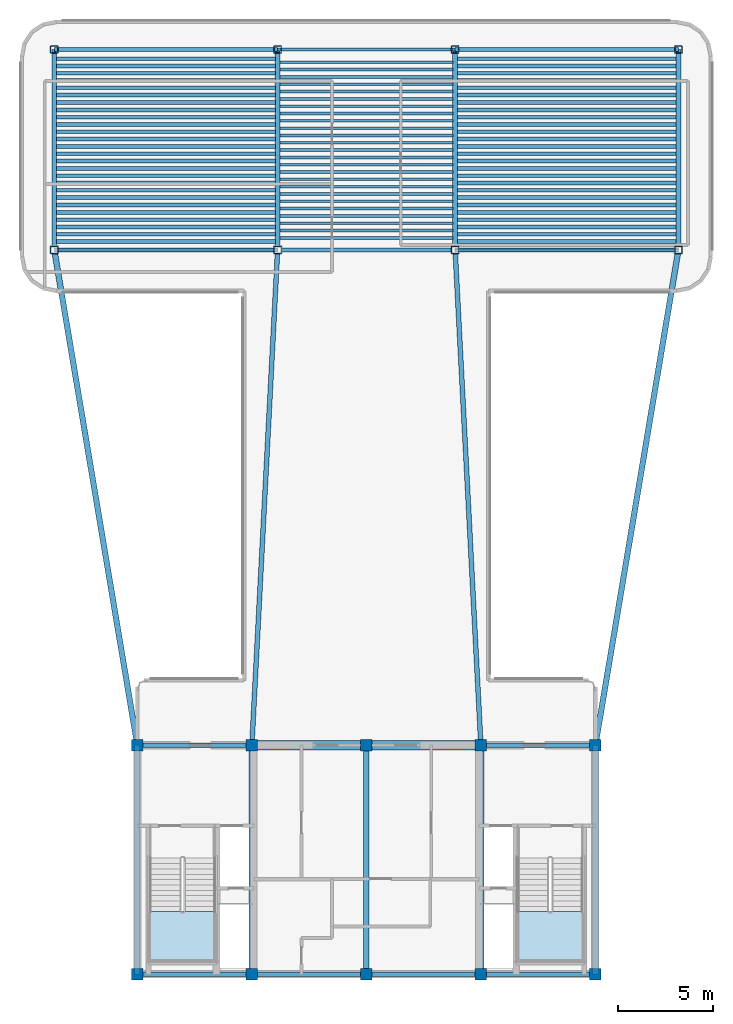
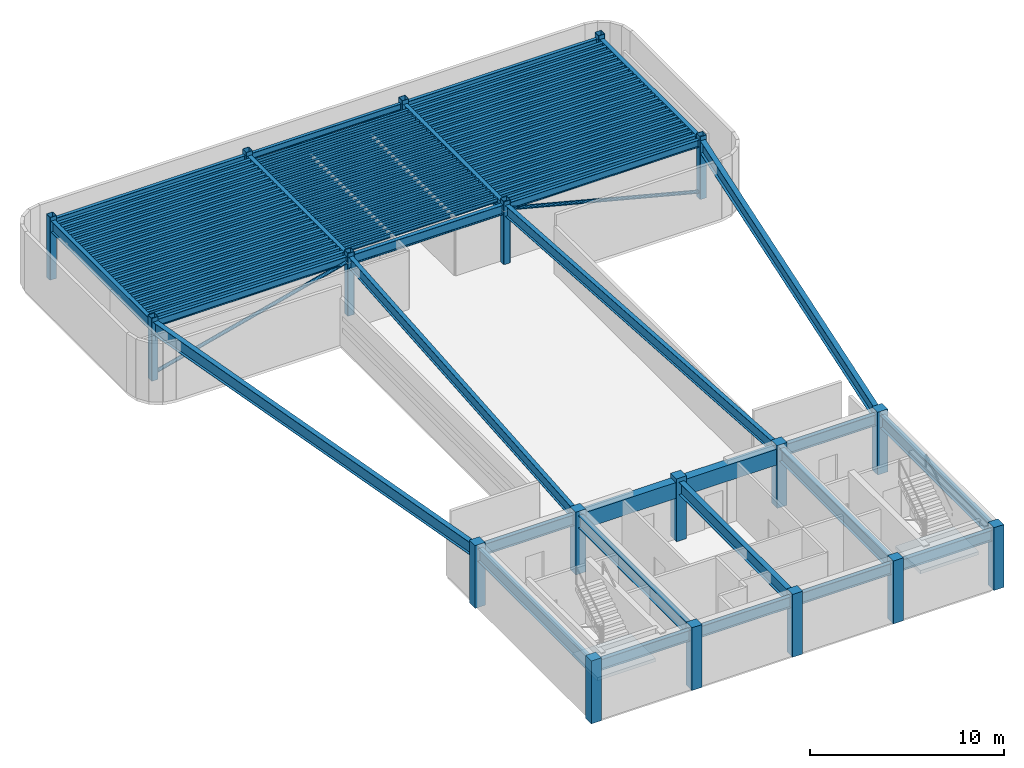
# One storey, part 1 of 6: 103 beams, 18 columns, 2 members, 2 slabs, 2 elements without a shape of their own.
"""IFC4 building model written with IfcOpenShell, lengths in metres."""

from ifc_helpers import new_model, si_unit, direction, frame, origin, origin_2d, place, context, subcontext, project, spatial, polyline, rectangle, hollow_rectangle, hollow_circle, i_section, outline, extrude, source, transform, mapped, material, layer, layer_set, material_profile, profile_set, type_object, element, aggregate, save


model = new_model("IFC4")

# Units and contexts
model_context = context("Model", 3, precision=1e-05, world=origin(), true_north=direction((0.0, 1.0)))
body_context = subcontext(model_context, "Body", "Model", "MODEL_VIEW")
ifc_project = project(units=[si_unit("LENGTHUNIT", "METRE"), si_unit("AREAUNIT", "SQUARE_METRE"), si_unit("VOLUMEUNIT", "CUBIC_METRE"), si_unit("PLANEANGLEUNIT", "RADIAN"), si_unit("MASSUNIT", "GRAM", prefix="KILO")], contexts=[model_context])

# Site, building, storey
site_placement = place(None, origin())
site = spatial("IfcSite", under=ifc_project, at=site_placement, CompositionType="ELEMENT")
building_placement = place(site_placement, origin())
building = spatial("IfcBuilding", under=site, at=building_placement, Name="Brelvock Crest Care Tower", CompositionType="ELEMENT")
storey_placement = place(building_placement, frame((0.0, 0.0, 307.800048828125)))
storey = spatial("IfcBuildingStorey", under=building, at=storey_placement, Name="L78", CompositionType="ELEMENT", Elevation=307.800048828125)

# Columns
ifc_material_1 = material(Name="Concrete S65 (65 MPa)", Category="concrete")
ifc_material_profile_1 = material_profile(ifc_material_1, rectangle(XDim=0.60009765625, YDim=0.60009765625, at=origin_2d()), Name="RC600x600")
ifc_profile_set_1 = profile_set([ifc_material_profile_1], Name="Concrete S65 (65 MPa)")
column_type_1 = type_object("IfcColumnType", Name="COL-RC4", PredefinedType="COLUMN", material=ifc_profile_set_1)
shared_shape_1 = source(origin(), body_context, "Body", "SweptSolid", [
    extrude(rectangle(XDim=0.60009765625, YDim=0.60009765625, at=origin_2d()), origin(), (0.0, 0.0, 1.0), 3.9599609375),
])
for number, where, z_axis, x_axis, name in (
    (1, (24.0, 6.0, 0.0), (0.0, 0.0, 1.0), (1.0, 0.0, 0.0), "L78 Core Column CC-01"),
    (2, (30.0, 6.0, 0.0), (0.0, 0.0, 1.0), (1.0, 0.0, 0.0), "L78 Core Column CC-02"),
    (3, (36.0, 6.0, 0.0), (0.0, 0.0, 1.0), (1.0, 0.0, 0.0), "L78 Core Column CC-03"),
    (4, (42.0, 6.0, 0.0), (0.0, 0.0, 1.0), (1.0, 0.0, 0.0), "L78 Core Column CC-04"),
    (5, (48.0, 6.0, 0.0), (0.0, 0.0, 1.0), (1.0, 0.0, 0.0), "L78 Core Column CC-05"),
    (6, (24.0, 18.0, 0.0), (0.0, 0.0, 1.0), (1.0, 0.0, 0.0), "L78 Core Column CC-06"),
    (7, (30.0, 18.0, 0.0), (0.0, 0.0, 1.0), (1.0, 0.0, 0.0), "L78 Core Column CC-07"),
    (8, (36.0, 18.0, 0.0), (0.0, 0.0, 1.0), (1.0, 0.0, 0.0), "L78 Core Column CC-08"),
    (9, (42.0, 18.0, 0.0), (0.0, 0.0, 1.0), (1.0, 0.0, 0.0), "L78 Core Column CC-09"),
    (10, (48.0, 18.0, 0.0), (0.0, 0.0, 1.0), (1.0, 0.0, 0.0), "L78 Core Column CC-10"),
):
    element("IfcColumn", number, at=place(storey_placement, frame(where, z_axis=z_axis, x_axis=x_axis)), inside=storey, type_object=column_type_1, Name=name, PredefinedType="COLUMN", context=body_context, shape_type="MappedRepresentation", body=[
        mapped(shared_shape_1, transform((0.0, 0.0, 0.0), x_axis=(1.0, 0.0, 0.0), y_axis=(0.0, 1.0, 0.0), z_axis=(0.0, 0.0, 1.0), scale=1.0)),
    ])
ifc_material_2 = material(Name="Steel Grade 350", Category="steel")
ifc_material_profile_2 = material_profile(ifc_material_2, hollow_rectangle(XDim=0.39990234375, YDim=0.39990234375, WallThickness=0.02001953125, OuterFilletRadius=0.0400390625, at=origin_2d()), Name="SHS400x400x20.0")
ifc_profile_set_2 = profile_set([ifc_material_profile_2], Name="Steel Grade 350")
column_type_2 = type_object("IfcColumnType", Name="COL-CR1", PredefinedType="COLUMN", material=ifc_profile_set_2)
shared_shape_2 = source(origin(), body_context, "Body", "SweptSolid", [
    extrude(hollow_rectangle(XDim=0.39990234375, YDim=0.39990234375, WallThickness=0.02001953125, OuterFilletRadius=0.0400390625, at=origin_2d()), origin(), (0.0, 0.0, 1.0), 3.9599609375),
])
for number, where, z_axis, x_axis, name in (
    (11, (19.64990234375, 43.949951171875, 0.0), (0.0, 0.0, 1.0), (1.0, 0.0, 0.0), "L78 Tower Column M1"),
    (12, (19.64990234375, 54.449951171875, 0.0), (0.0, 0.0, 1.0), (1.0, 0.0, 0.0), "L78 Tower Column M2"),
    (13, (52.35009765625, 43.949951171875, 0.0), (0.0, 0.0, 1.0), (1.0, 0.0, 0.0), "L78 Tower Column M3"),
    (14, (52.35009765625, 54.449951171875, 0.0), (0.0, 0.0, 1.0), (1.0, 0.0, 0.0), "L78 Tower Column M4"),
    (15, (31.35009765625, 43.949951171875, 0.0), (0.0, 0.0, 1.0), (1.0, 0.0, 0.0), "L78 Tower Column M5"),
    (16, (40.64990234375, 43.949951171875, 0.0), (0.0, 0.0, 1.0), (1.0, 0.0, 0.0), "L78 Tower Column M6"),
    (17, (31.35009765625, 54.449951171875, 0.0), (0.0, 0.0, 1.0), (1.0, 0.0, 0.0), "L78 Tower Column M7"),
    (18, (40.64990234375, 54.449951171875, 0.0), (0.0, 0.0, 1.0), (1.0, 0.0, 0.0), "L78 Tower Column M8"),
):
    element("IfcColumn", number, at=place(storey_placement, frame(where, z_axis=z_axis, x_axis=x_axis)), inside=storey, type_object=column_type_2, Name=name, PredefinedType="COLUMN", context=body_context, shape_type="MappedRepresentation", body=[
        mapped(shared_shape_2, transform((0.0, 0.0, 0.0), x_axis=(1.0, 0.0, 0.0), y_axis=(0.0, 1.0, 0.0), z_axis=(0.0, 0.0, 1.0), scale=1.0)),
    ])

# Beams
ifc_material_profile_3 = material_profile(ifc_material_2, i_section(OverallWidth=0.25, OverallDepth=0.699951171875, WebThickness=0.011962890625, FlangeThickness=0.02001953125, at=origin_2d()), Name="700WB150")
ifc_profile_set_3 = profile_set([ifc_material_profile_3], Name="Steel Grade 350")
beam_type_1 = type_object("IfcBeamType", Name="BM-G4", PredefinedType="BEAM", material=ifc_profile_set_3)
shared_shape_3 = source(origin(), body_context, "Body", "SweptSolid", [
    extrude(i_section(OverallWidth=0.25, OverallDepth=0.699951171875, WebThickness=0.011962890625, FlangeThickness=0.02001953125, at=origin_2d()), origin(), (0.0, 0.0, 1.0), 6.0),
])
for number, where, z_axis, x_axis, name in (
    (19, (24.0, 6.0, 3.35986328125), (1.0, 0.0, 0.0), (0.0, 1.0, 0.0), "BM-CORES-L78-1"),
    (20, (24.0, 18.0, 3.35986328125), (1.0, 0.0, 0.0), (0.0, 1.0, 0.0), "BM-COREN-L78-1"),
    (21, (30.0, 6.0, 3.35986328125), (1.0, 0.0, 0.0), (0.0, 1.0, 0.0), "BM-CORES-L78-2"),
    (22, (36.0, 6.0, 3.35986328125), (1.0, 0.0, 0.0), (0.0, 1.0, 0.0), "BM-CORES-L78-3"),
    (23, (42.0, 6.0, 3.35986328125), (1.0, 0.0, 0.0), (0.0, 1.0, 0.0), "BM-CORES-L78-4"),
    (24, (42.0, 18.0, 3.35986328125), (1.0, 0.0, 0.0), (0.0, 1.0, 0.0), "BM-COREN-L78-4"),
):
    element("IfcBeam", number, at=place(storey_placement, frame(where, z_axis=z_axis, x_axis=x_axis)), inside=storey, type_object=beam_type_1, Name=name, PredefinedType="BEAM", context=body_context, shape_type="MappedRepresentation", body=[
        mapped(shared_shape_3, transform((0.0, 0.0, 0.0), x_axis=(1.0, 0.0, 0.0), y_axis=(0.0, 1.0, 0.0), z_axis=(0.0, 0.0, 1.0), scale=1.0)),
    ])
ifc_material_profile_4 = material_profile(ifc_material_2, i_section(OverallWidth=0.300048828125, OverallDepth=0.800048828125, WebThickness=0.013916015625, FlangeThickness=0.02197265625, at=origin_2d()), Name="800WB192")
ifc_profile_set_4 = profile_set([ifc_material_profile_4], Name="Steel Grade 350")
beam_type_2 = type_object("IfcBeamType", Name="BM-G5", PredefinedType="BEAM", material=ifc_profile_set_4)
shared_shape_4 = source(origin(), body_context, "Body", "SweptSolid", [
    extrude(i_section(OverallWidth=0.300048828125, OverallDepth=0.800048828125, WebThickness=0.013916015625, FlangeThickness=0.02197265625, at=origin_2d()), origin(), (0.0, 0.0, 1.0), 12.0),
])
for number, where, z_axis, x_axis, name in (
    (25, (24.0, 6.0, 3.31005859375), (0.0, 1.0, 0.0), (-1.0, 0.0, 0.0), "BM-COREX-L78-1"),
    (26, (30.0, 6.0, 3.31005859375), (0.0, 1.0, 0.0), (-1.0, 0.0, 0.0), "BM-COREX-L78-2"),
    (27, (36.0, 6.0, 3.31005859375), (0.0, 1.0, 0.0), (-1.0, 0.0, 0.0), "BM-COREX-L78-3"),
    (28, (42.0, 6.0, 3.31005859375), (0.0, 1.0, 0.0), (-1.0, 0.0, 0.0), "BM-COREX-L78-4"),
    (29, (48.0, 6.0, 3.31005859375), (0.0, 1.0, 0.0), (-1.0, 0.0, 0.0), "BM-COREX-L78-5"),
):
    element("IfcBeam", number, at=place(storey_placement, frame(where, z_axis=z_axis, x_axis=x_axis)), inside=storey, type_object=beam_type_2, Name=name, PredefinedType="BEAM", context=body_context, shape_type="MappedRepresentation", body=[
        mapped(shared_shape_4, transform((0.0, 0.0, 0.0), x_axis=(1.0, 0.0, 0.0), y_axis=(0.0, 1.0, 0.0), z_axis=(0.0, 0.0, 1.0), scale=1.0)),
    ])
shared_shape_5 = source(origin(), body_context, "Body", "SweptSolid", [
    extrude(i_section(OverallWidth=0.25, OverallDepth=0.699951171875, WebThickness=0.011962890625, FlangeThickness=0.02001953125, at=origin_2d()), origin(), (0.0, 0.0, 1.0), 10.5),
])
for number, where, z_axis, x_axis, name in (
    (30, (19.64990234375, 43.949951171875, 3.35986328125), (0.0, 1.0, 0.0), (-1.0, 0.0, 0.0), "BM-TWR-L78-01"),
    (31, (52.35009765625, 43.949951171875, 3.35986328125), (0.0, 1.0, 0.0), (-1.0, 0.0, 0.0), "BM-TWR-L78-02"),
    (32, (31.35009765625, 43.949951171875, 3.35986328125), (0.0, 1.0, 0.0), (-1.0, 0.0, 0.0), "BM-TWR-L78-09"),
    (33, (40.64990234375, 43.949951171875, 3.35986328125), (0.0, 1.0, 0.0), (-1.0, 0.0, 0.0), "BM-TWR-L78-10"),
):
    element("IfcBeam", number, at=place(storey_placement, frame(where, z_axis=z_axis, x_axis=x_axis)), inside=storey, type_object=beam_type_1, Name=name, PredefinedType="BEAM", context=body_context, shape_type="MappedRepresentation", body=[
        mapped(shared_shape_5, transform((0.0, 0.0, 0.0), x_axis=(1.0, 0.0, 0.0), y_axis=(0.0, 1.0, 0.0), z_axis=(0.0, 0.0, 1.0), scale=1.0)),
    ])
ifc_material_profile_5 = material_profile(ifc_material_2, i_section(OverallWidth=0.22900390625, OverallDepth=0.612060546875, WebThickness=0.011962890625, FlangeThickness=0.01953125, FilletRadius=0.013916015625, at=origin_2d()), Name="610UB125")
ifc_profile_set_5 = profile_set([ifc_material_profile_5], Name="Steel Grade 350")
beam_type_3 = type_object("IfcBeamType", Name="BM-G1", PredefinedType="BEAM", material=ifc_profile_set_5)
shared_shape_6 = source(origin(), body_context, "Body", "SweptSolid", [
    extrude(i_section(OverallWidth=0.22900390625, OverallDepth=0.612060546875, WebThickness=0.011962890625, FlangeThickness=0.01953125, FilletRadius=0.013916015625, at=origin_2d()), origin(), (0.0, 0.0, 1.0), 9.2998046875),
])
beam_1_placement = place(storey_placement, frame((31.35009765625, 43.949951171875, 3.404052734375), z_axis=(1.0, 0.0, 0.0), x_axis=(0.0, 1.0, 0.0)))
element("IfcBeam", 34, at=beam_1_placement, inside=storey, type_object=beam_type_3, Name="BM-TWR-L78-05", PredefinedType="BEAM", context=body_context, shape_type="MappedRepresentation", body=[
    mapped(shared_shape_6, transform((0.0, 0.0, 0.0), x_axis=(1.0, 0.0, 0.0), y_axis=(0.0, 1.0, 0.0), z_axis=(0.0, 0.0, 1.0), scale=1.0)),
])
ifc_material_profile_6 = material_profile(ifc_material_2, i_section(OverallWidth=0.177978515625, OverallDepth=0.406005859375, WebThickness=0.0078125, FlangeThickness=0.0126953125, FilletRadius=0.011474609375, at=origin_2d()), Name="410UB59.7")
ifc_profile_set_6 = profile_set([ifc_material_profile_6], Name="Steel Grade 350")
beam_type_4 = type_object("IfcBeamType", Name="BM-SP1", PredefinedType="SPANDREL", material=ifc_profile_set_6)
shared_shape_7 = source(origin(), body_context, "Body", "SweptSolid", [
    extrude(i_section(OverallWidth=0.177978515625, OverallDepth=0.406005859375, WebThickness=0.0078125, FlangeThickness=0.0126953125, FilletRadius=0.011474609375, at=origin_2d()), origin(), (0.0, 0.0, 1.0), 9.2998046875),
])
beam_2_placement = place(storey_placement, frame((31.35009765625, 54.449951171875, 3.5068359375), z_axis=(1.0, 0.0, 0.0), x_axis=(0.0, 1.0, 0.0)))
element("IfcBeam", 35, at=beam_2_placement, inside=storey, type_object=beam_type_4, Name="BM-TWR-L78-08", PredefinedType="SPANDREL", context=body_context, shape_type="MappedRepresentation", body=[
    mapped(shared_shape_7, transform((0.0, 0.0, 0.0), x_axis=(1.0, 0.0, 0.0), y_axis=(0.0, 1.0, 0.0), z_axis=(0.0, 0.0, 1.0), scale=1.0)),
])
ifc_material_profile_7 = material_profile(ifc_material_2, i_section(OverallWidth=0.14599609375, OverallDepth=0.256103515625, WebThickness=0.00634765625, FlangeThickness=0.010986328125, FilletRadius=0.0087890625, at=origin_2d()), Name="250UB37.3")
ifc_profile_set_7 = profile_set([ifc_material_profile_7], Name="Steel Grade 350")
beam_type_5 = type_object("IfcBeamType", Name="BM-J3", PredefinedType="JOIST", material=ifc_profile_set_7)
shared_shape_8 = source(origin(), body_context, "Body", "SweptSolid", [
    extrude(i_section(OverallWidth=0.14599609375, OverallDepth=0.256103515625, WebThickness=0.00634765625, FlangeThickness=0.010986328125, FilletRadius=0.0087890625, at=origin_2d()), origin(), (0.0, 0.0, 1.0), 9.06982421875),
])
for number, where, z_axis, x_axis, name in (
    (36, (31.465087890625, 44.58251953125, 3.58203125), (1.0, 0.0, 0.0), (0.0, 1.0, 0.0), "BM-JH-L78-1"),
    (37, (31.465087890625, 44.9658203125, 3.58203125), (1.0, 0.0, 0.0), (0.0, 1.0, 0.0), "BM-JH-L78-2"),
    (38, (31.465087890625, 45.34912109375, 3.58203125), (1.0, 0.0, 0.0), (0.0, 1.0, 0.0), "BM-JH-L78-3"),
    (39, (31.465087890625, 45.732421875, 3.58203125), (1.0, 0.0, 0.0), (0.0, 1.0, 0.0), "BM-JH-L78-4"),
    (40, (31.465087890625, 46.115478515625, 3.58203125), (1.0, 0.0, 0.0), (0.0, 1.0, 0.0), "BM-JH-L78-5"),
    (41, (31.465087890625, 46.498779296875, 3.58203125), (1.0, 0.0, 0.0), (0.0, 1.0, 0.0), "BM-JH-L78-6"),
    (42, (31.465087890625, 46.882080078125, 3.58203125), (1.0, 0.0, 0.0), (0.0, 1.0, 0.0), "BM-JH-L78-7"),
    (43, (31.465087890625, 47.265380859375, 3.58203125), (1.0, 0.0, 0.0), (0.0, 1.0, 0.0), "BM-JH-L78-8"),
    (44, (31.465087890625, 47.648681640625, 3.58203125), (1.0, 0.0, 0.0), (0.0, 1.0, 0.0), "BM-JH-L78-9"),
    (45, (31.465087890625, 48.031982421875, 3.58203125), (1.0, 0.0, 0.0), (0.0, 1.0, 0.0), "BM-JH-L78-10"),
    (46, (31.465087890625, 48.4150390625, 3.58203125), (1.0, 0.0, 0.0), (0.0, 1.0, 0.0), "BM-JH-L78-11"),
    (47, (31.465087890625, 48.79833984375, 3.58203125), (1.0, 0.0, 0.0), (0.0, 1.0, 0.0), "BM-JH-L78-12"),
    (48, (31.465087890625, 49.181640625, 3.58203125), (1.0, 0.0, 0.0), (0.0, 1.0, 0.0), "BM-JH-L78-13"),
    (49, (31.465087890625, 49.564697265625, 3.58203125), (1.0, 0.0, 0.0), (0.0, 1.0, 0.0), "BM-JH-L78-14"),
    (50, (31.465087890625, 49.947998046875, 3.58203125), (1.0, 0.0, 0.0), (0.0, 1.0, 0.0), "BM-JH-L78-15"),
    (51, (31.465087890625, 50.331298828125, 3.58203125), (1.0, 0.0, 0.0), (0.0, 1.0, 0.0), "BM-JH-L78-16"),
    (52, (31.465087890625, 50.714599609375, 3.58203125), (1.0, 0.0, 0.0), (0.0, 1.0, 0.0), "BM-JH-L78-17"),
    (53, (31.465087890625, 51.097900390625, 3.58203125), (1.0, 0.0, 0.0), (0.0, 1.0, 0.0), "BM-JH-L78-18"),
    (54, (31.465087890625, 51.481201171875, 3.58203125), (1.0, 0.0, 0.0), (0.0, 1.0, 0.0), "BM-JH-L78-19"),
    (55, (31.465087890625, 51.864501953125, 3.58203125), (1.0, 0.0, 0.0), (0.0, 1.0, 0.0), "BM-JH-L78-20"),
    (56, (31.465087890625, 52.24755859375, 3.58203125), (1.0, 0.0, 0.0), (0.0, 1.0, 0.0), "BM-JH-L78-21"),
    (57, (31.465087890625, 52.630859375, 3.58203125), (1.0, 0.0, 0.0), (0.0, 1.0, 0.0), "BM-JH-L78-22"),
    (58, (31.465087890625, 53.01416015625, 3.58203125), (1.0, 0.0, 0.0), (0.0, 1.0, 0.0), "BM-JH-L78-23"),
    (59, (31.465087890625, 53.3974609375, 3.58203125), (1.0, 0.0, 0.0), (0.0, 1.0, 0.0), "BM-JH-L78-24"),
    (60, (31.465087890625, 53.780517578125, 3.58203125), (1.0, 0.0, 0.0), (0.0, 1.0, 0.0), "BM-JH-L78-25"),
):
    element("IfcBeam", number, at=place(storey_placement, frame(where, z_axis=z_axis, x_axis=x_axis)), inside=storey, type_object=beam_type_5, Name=name, PredefinedType="JOIST", context=body_context, shape_type="MappedRepresentation", body=[
        mapped(shared_shape_8, transform((0.0, 0.0, 0.0), x_axis=(1.0, 0.0, 0.0), y_axis=(0.0, 1.0, 0.0), z_axis=(0.0, 0.0, 1.0), scale=1.0)),
    ])
ifc_material_profile_8 = material_profile(ifc_material_1, rectangle(XDim=0.5, YDim=1.0, at=origin_2d()), Name="RC500x1000")
ifc_profile_set_8 = profile_set([ifc_material_profile_8], Name="Concrete S65 (65 MPa)")
beam_type_6 = type_object("IfcBeamType", Name="BM-LN2", PredefinedType="LINTEL", material=ifc_profile_set_8)
shared_shape_9 = source(origin(), body_context, "Body", "SweptSolid", [
    extrude(rectangle(XDim=0.5, YDim=1.0, at=origin_2d()), origin(), (0.0, 0.0, 1.0), 12.0),
])
beam_3_placement = place(storey_placement, frame((30.0, 18.0, 3.2099609375), z_axis=(1.0, 0.0, 0.0), x_axis=(0.0, 1.0, 0.0)))
element("IfcBeam", 61, at=beam_3_placement, inside=storey, type_object=beam_type_6, Name="L78 Core Coupling Lintel Beam", PredefinedType="LINTEL", context=body_context, shape_type="MappedRepresentation", body=[
    mapped(shared_shape_9, transform((0.0, 0.0, 0.0), x_axis=(1.0, 0.0, 0.0), y_axis=(0.0, 1.0, 0.0), z_axis=(0.0, 0.0, 1.0), scale=1.0)),
])
ifc_material_profile_9 = material_profile(ifc_material_2, i_section(OverallWidth=0.19091796875, OverallDepth=0.4599609375, WebThickness=0.010009765625, FlangeThickness=0.01611328125, FilletRadius=0.011474609375, at=origin_2d()), Name="460UB82.1")
ifc_profile_set_9 = profile_set([ifc_material_profile_9], Name="Steel Grade 350")
beam_type_7 = type_object("IfcBeamType", Name="BM-G3", PredefinedType="BEAM", material=ifc_profile_set_9)
shared_shape_10 = source(origin(), body_context, "Body", "SweptSolid", [
    extrude(i_section(OverallWidth=0.19091796875, OverallDepth=0.4599609375, WebThickness=0.010009765625, FlangeThickness=0.01611328125, FilletRadius=0.011474609375, at=origin_2d()), origin(), (0.0, 0.0, 1.0), 11.47021484375),
])
for number, where, z_axis, x_axis, name in (
    (62, (19.764892578125, 44.7744140625, 3.47998046875), (1.0, 0.0, 0.0), (0.0, 1.0, 0.0), "BM-JW-L78-2"),
    (63, (40.764892578125, 44.7744140625, 3.47998046875), (1.0, 0.0, 0.0), (0.0, 1.0, 0.0), "BM-JE-L78-2"),
    (64, (19.764892578125, 45.540771484375, 3.47998046875), (1.0, 0.0, 0.0), (0.0, 1.0, 0.0), "BM-JW-L78-4"),
    (65, (40.764892578125, 45.540771484375, 3.47998046875), (1.0, 0.0, 0.0), (0.0, 1.0, 0.0), "BM-JE-L78-4"),
    (66, (19.764892578125, 46.307373046875, 3.47998046875), (1.0, 0.0, 0.0), (0.0, 1.0, 0.0), "BM-JW-L78-6"),
    (67, (40.764892578125, 46.307373046875, 3.47998046875), (1.0, 0.0, 0.0), (0.0, 1.0, 0.0), "BM-JE-L78-6"),
    (68, (19.764892578125, 47.07373046875, 3.47998046875), (1.0, 0.0, 0.0), (0.0, 1.0, 0.0), "BM-JW-L78-8"),
    (69, (40.764892578125, 47.07373046875, 3.47998046875), (1.0, 0.0, 0.0), (0.0, 1.0, 0.0), "BM-JE-L78-8"),
    (70, (19.764892578125, 47.84033203125, 3.47998046875), (1.0, 0.0, 0.0), (0.0, 1.0, 0.0), "BM-JW-L78-10"),
    (71, (40.764892578125, 47.84033203125, 3.47998046875), (1.0, 0.0, 0.0), (0.0, 1.0, 0.0), "BM-JE-L78-10"),
    (72, (19.764892578125, 48.606689453125, 3.47998046875), (1.0, 0.0, 0.0), (0.0, 1.0, 0.0), "BM-JW-L78-12"),
    (73, (40.764892578125, 48.606689453125, 3.47998046875), (1.0, 0.0, 0.0), (0.0, 1.0, 0.0), "BM-JE-L78-12"),
    (74, (19.764892578125, 49.373291015625, 3.47998046875), (1.0, 0.0, 0.0), (0.0, 1.0, 0.0), "BM-JW-L78-14"),
    (75, (40.764892578125, 49.373291015625, 3.47998046875), (1.0, 0.0, 0.0), (0.0, 1.0, 0.0), "BM-JE-L78-14"),
    (76, (19.764892578125, 50.139892578125, 3.47998046875), (1.0, 0.0, 0.0), (0.0, 1.0, 0.0), "BM-JW-L78-16"),
    (77, (40.764892578125, 50.139892578125, 3.47998046875), (1.0, 0.0, 0.0), (0.0, 1.0, 0.0), "BM-JE-L78-16"),
    (78, (19.764892578125, 50.90625, 3.47998046875), (1.0, 0.0, 0.0), (0.0, 1.0, 0.0), "BM-JW-L78-18"),
    (79, (40.764892578125, 50.90625, 3.47998046875), (1.0, 0.0, 0.0), (0.0, 1.0, 0.0), "BM-JE-L78-18"),
    (80, (19.764892578125, 51.6728515625, 3.47998046875), (1.0, 0.0, 0.0), (0.0, 1.0, 0.0), "BM-JW-L78-20"),
    (81, (40.764892578125, 51.6728515625, 3.47998046875), (1.0, 0.0, 0.0), (0.0, 1.0, 0.0), "BM-JE-L78-20"),
    (82, (19.764892578125, 52.439208984375, 3.47998046875), (1.0, 0.0, 0.0), (0.0, 1.0, 0.0), "BM-JW-L78-22"),
    (83, (40.764892578125, 52.439208984375, 3.47998046875), (1.0, 0.0, 0.0), (0.0, 1.0, 0.0), "BM-JE-L78-22"),
    (84, (19.764892578125, 53.205810546875, 3.47998046875), (1.0, 0.0, 0.0), (0.0, 1.0, 0.0), "BM-JW-L78-24"),
    (85, (40.764892578125, 53.205810546875, 3.47998046875), (1.0, 0.0, 0.0), (0.0, 1.0, 0.0), "BM-JE-L78-24"),
    (86, (19.764892578125, 53.972412109375, 3.47998046875), (1.0, 0.0, 0.0), (0.0, 1.0, 0.0), "BM-JW-L78-26"),
    (87, (40.764892578125, 53.972412109375, 3.47998046875), (1.0, 0.0, 0.0), (0.0, 1.0, 0.0), "BM-JE-L78-26"),
):
    element("IfcBeam", number, at=place(storey_placement, frame(where, z_axis=z_axis, x_axis=x_axis)), inside=storey, type_object=beam_type_7, Name=name, PredefinedType="BEAM", context=body_context, shape_type="MappedRepresentation", body=[
        mapped(shared_shape_10, transform((0.0, 0.0, 0.0), x_axis=(1.0, 0.0, 0.0), y_axis=(0.0, 1.0, 0.0), z_axis=(0.0, 0.0, 1.0), scale=1.0)),
    ])
ifc_material_profile_10 = material_profile(ifc_material_2, i_section(OverallWidth=0.208984375, OverallDepth=0.532958984375, WebThickness=0.01025390625, FlangeThickness=0.015625, FilletRadius=0.013916015625, at=origin_2d()), Name="530UB92.4")
ifc_profile_set_10 = profile_set([ifc_material_profile_10], Name="Steel Grade 350")
beam_type_8 = type_object("IfcBeamType", Name="BM-G2", PredefinedType="BEAM", material=ifc_profile_set_10)
shared_shape_11 = source(origin(), body_context, "Body", "SweptSolid", [
    extrude(i_section(OverallWidth=0.208984375, OverallDepth=0.532958984375, WebThickness=0.01025390625, FlangeThickness=0.015625, FilletRadius=0.013916015625, at=origin_2d()), origin(), (0.0, 0.0, 1.0), 11.47021484375),
])
for number, where, z_axis, x_axis, name in (
    (88, (19.764892578125, 44.39111328125, 3.443359375), (1.0, 0.0, 0.0), (0.0, 1.0, 0.0), "BM-JW-L78-1"),
    (89, (40.764892578125, 44.39111328125, 3.443359375), (1.0, 0.0, 0.0), (0.0, 1.0, 0.0), "BM-JE-L78-1"),
    (90, (19.764892578125, 45.157470703125, 3.443359375), (1.0, 0.0, 0.0), (0.0, 1.0, 0.0), "BM-JW-L78-3"),
    (91, (40.764892578125, 45.157470703125, 3.443359375), (1.0, 0.0, 0.0), (0.0, 1.0, 0.0), "BM-JE-L78-3"),
    (92, (19.764892578125, 45.924072265625, 3.443359375), (1.0, 0.0, 0.0), (0.0, 1.0, 0.0), "BM-JW-L78-5"),
    (93, (40.764892578125, 45.924072265625, 3.443359375), (1.0, 0.0, 0.0), (0.0, 1.0, 0.0), "BM-JE-L78-5"),
    (94, (19.764892578125, 46.6904296875, 3.443359375), (1.0, 0.0, 0.0), (0.0, 1.0, 0.0), "BM-JW-L78-7"),
    (95, (40.764892578125, 46.6904296875, 3.443359375), (1.0, 0.0, 0.0), (0.0, 1.0, 0.0), "BM-JE-L78-7"),
    (96, (19.764892578125, 47.45703125, 3.443359375), (1.0, 0.0, 0.0), (0.0, 1.0, 0.0), "BM-JW-L78-9"),
    (97, (40.764892578125, 47.45703125, 3.443359375), (1.0, 0.0, 0.0), (0.0, 1.0, 0.0), "BM-JE-L78-9"),
    (98, (19.764892578125, 48.223388671875, 3.443359375), (1.0, 0.0, 0.0), (0.0, 1.0, 0.0), "BM-JW-L78-11"),
    (99, (40.764892578125, 48.223388671875, 3.443359375), (1.0, 0.0, 0.0), (0.0, 1.0, 0.0), "BM-JE-L78-11"),
    (100, (19.764892578125, 48.989990234375, 3.443359375), (1.0, 0.0, 0.0), (0.0, 1.0, 0.0), "BM-JW-L78-13"),
    (101, (40.764892578125, 48.989990234375, 3.443359375), (1.0, 0.0, 0.0), (0.0, 1.0, 0.0), "BM-JE-L78-13"),
    (102, (19.764892578125, 49.756591796875, 3.443359375), (1.0, 0.0, 0.0), (0.0, 1.0, 0.0), "BM-JW-L78-15"),
    (103, (40.764892578125, 49.756591796875, 3.443359375), (1.0, 0.0, 0.0), (0.0, 1.0, 0.0), "BM-JE-L78-15"),
    (104, (19.764892578125, 50.52294921875, 3.443359375), (1.0, 0.0, 0.0), (0.0, 1.0, 0.0), "BM-JW-L78-17"),
    (105, (40.764892578125, 50.52294921875, 3.443359375), (1.0, 0.0, 0.0), (0.0, 1.0, 0.0), "BM-JE-L78-17"),
    (106, (19.764892578125, 51.28955078125, 3.443359375), (1.0, 0.0, 0.0), (0.0, 1.0, 0.0), "BM-JW-L78-19"),
    (107, (40.764892578125, 51.28955078125, 3.443359375), (1.0, 0.0, 0.0), (0.0, 1.0, 0.0), "BM-JE-L78-19"),
    (108, (19.764892578125, 52.055908203125, 3.443359375), (1.0, 0.0, 0.0), (0.0, 1.0, 0.0), "BM-JW-L78-21"),
    (109, (40.764892578125, 52.055908203125, 3.443359375), (1.0, 0.0, 0.0), (0.0, 1.0, 0.0), "BM-JE-L78-21"),
    (110, (19.764892578125, 52.822509765625, 3.443359375), (1.0, 0.0, 0.0), (0.0, 1.0, 0.0), "BM-JW-L78-23"),
    (111, (40.764892578125, 52.822509765625, 3.443359375), (1.0, 0.0, 0.0), (0.0, 1.0, 0.0), "BM-JE-L78-23"),
    (112, (19.764892578125, 53.589111328125, 3.443359375), (1.0, 0.0, 0.0), (0.0, 1.0, 0.0), "BM-JW-L78-25"),
    (113, (40.764892578125, 53.589111328125, 3.443359375), (1.0, 0.0, 0.0), (0.0, 1.0, 0.0), "BM-JE-L78-25"),
):
    element("IfcBeam", number, at=place(storey_placement, frame(where, z_axis=z_axis, x_axis=x_axis)), inside=storey, type_object=beam_type_8, Name=name, PredefinedType="BEAM", context=body_context, shape_type="MappedRepresentation", body=[
        mapped(shared_shape_11, transform((0.0, 0.0, 0.0), x_axis=(1.0, 0.0, 0.0), y_axis=(0.0, 1.0, 0.0), z_axis=(0.0, 0.0, 1.0), scale=1.0)),
    ])
ifc_material_profile_11 = material_profile(ifc_material_2, i_section(OverallWidth=0.19091796875, OverallDepth=0.4599609375, WebThickness=0.010009765625, FlangeThickness=0.01611328125, FilletRadius=0.011474609375, at=origin_2d()), Name="460UB82.1")
ifc_profile_set_11 = profile_set([ifc_material_profile_11], Name="Steel Grade 350")
beam_type_9 = type_object("IfcBeamType", Name="BM-SP2", PredefinedType="SPANDREL", material=ifc_profile_set_11)
shared_shape_12 = source(origin(), body_context, "Body", "SweptSolid", [
    extrude(i_section(OverallWidth=0.19091796875, OverallDepth=0.4599609375, WebThickness=0.010009765625, FlangeThickness=0.01611328125, FilletRadius=0.011474609375, at=origin_2d()), origin(), (0.0, 0.0, 1.0), 11.7001953125),
])
for number, where, z_axis, x_axis, name in (
    (114, (19.64990234375, 43.949951171875, 3.47998046875), (1.0, 0.0, 0.0), (0.0, 1.0, 0.0), "BM-TWR-L78-03"),
    (115, (40.64990234375, 43.949951171875, 3.47998046875), (1.0, 0.0, 0.0), (0.0, 1.0, 0.0), "BM-TWR-L78-04"),
    (116, (19.64990234375, 54.449951171875, 3.47998046875), (1.0, 0.0, 0.0), (0.0, 1.0, 0.0), "BM-TWR-L78-06"),
    (117, (40.64990234375, 54.449951171875, 3.47998046875), (1.0, 0.0, 0.0), (0.0, 1.0, 0.0), "BM-TWR-L78-07"),
):
    element("IfcBeam", number, at=place(storey_placement, frame(where, z_axis=z_axis, x_axis=x_axis)), inside=storey, type_object=beam_type_9, Name=name, PredefinedType="SPANDREL", context=body_context, shape_type="MappedRepresentation", body=[
        mapped(shared_shape_12, transform((0.0, 0.0, 0.0), x_axis=(1.0, 0.0, 0.0), y_axis=(0.0, 1.0, 0.0), z_axis=(0.0, 0.0, 1.0), scale=1.0)),
    ])
shared_shape_13 = source(origin(), body_context, "Body", "SweptSolid", [
    extrude(i_section(OverallWidth=0.25, OverallDepth=0.699951171875, WebThickness=0.011962890625, FlangeThickness=0.02001953125, at=origin_2d()), origin(), (0.0, 0.0, 1.0), 25.985107421875),
])
for number, where, z_axis, x_axis, name in (
    (118, (30.0, 18.0, 3.35986328125), (0.051956711656, 0.998649337913, 0.0), (-0.998649337913, 0.051956711656, 0.0), "BM-THRW-L78"),
    (119, (42.0, 18.0, 3.35986328125), (-0.051956711656, 0.998649337913, 0.0), (-0.998649337913, -0.051956711656, 0.0), "BM-THRE-L78"),
):
    element("IfcBeam", number, at=place(storey_placement, frame(where, z_axis=z_axis, x_axis=x_axis)), inside=storey, type_object=beam_type_1, Name=name, PredefinedType="BEAM", context=body_context, shape_type="MappedRepresentation", body=[
        mapped(shared_shape_13, transform((0.0, 0.0, 0.0), x_axis=(1.0, 0.0, 0.0), y_axis=(0.0, 1.0, 0.0), z_axis=(0.0, 0.0, 1.0), scale=1.0)),
    ])
shared_shape_14 = source(origin(), body_context, "Body", "SweptSolid", [
    extrude(i_section(OverallWidth=0.300048828125, OverallDepth=0.800048828125, WebThickness=0.013916015625, FlangeThickness=0.02197265625, at=origin_2d()), origin(), (0.0, 0.0, 1.0), 26.31201171875),
])
for number, where, z_axis, x_axis, name in (
    (120, (24.0, 18.0, 3.31005859375), (-0.165327282709, 0.986238758918, 0.0), (-0.986238758918, -0.165327282709, 0.0), "BM-THRO-W-L78"),
    (121, (48.0, 18.0, 3.31005859375), (0.165327282709, 0.986238758918, 0.0), (-0.986238758918, 0.165327282709, 0.0), "BM-THRO-E-L78"),
):
    element("IfcBeam", number, at=place(storey_placement, frame(where, z_axis=z_axis, x_axis=x_axis)), inside=storey, type_object=beam_type_2, Name=name, PredefinedType="BEAM", context=body_context, shape_type="MappedRepresentation", body=[
        mapped(shared_shape_14, transform((0.0, 0.0, 0.0), x_axis=(1.0, 0.0, 0.0), y_axis=(0.0, 1.0, 0.0), z_axis=(0.0, 0.0, 1.0), scale=1.0)),
    ])

# Members
ifc_material_profile_12 = material_profile(ifc_material_2, hollow_circle(Radius=0.109619140625, WallThickness=0.00830078125, at=origin_2d()), Name="CHS219.1x8.2")
ifc_profile_set_12 = profile_set([ifc_material_profile_12], Name="Steel Grade 350")
member_type = type_object("IfcMemberType", Name="MEM-ST3", PredefinedType="STRUT", material=ifc_profile_set_12)
shared_shape_15 = source(origin(), body_context, "Body", "SweptSolid", [
    extrude(hollow_circle(Radius=0.109619140625, WallThickness=0.00830078125, at=origin_2d()), origin(), (0.0, 0.0, 1.0), 12.0810546875),
])
for number, where, z_axis, x_axis, name in (
    (122, (19.64990234375, 43.949951171875, 0.349853515625), (0.968465213611, 0.0, 0.249148811005), (0.0, 1.0, 0.0), "L78 Crown Frame Strut CST-W"),
    (123, (52.35009765625, 43.949951171875, 0.349853515625), (-0.968465213611, 0.0, 0.249148811005), (0.0, -1.0, 0.0), "L78 Crown Frame Strut CST-E"),
):
    element("IfcMember", number, at=place(storey_placement, frame(where, z_axis=z_axis, x_axis=x_axis)), inside=storey, type_object=member_type, Name=name, PredefinedType="STRUT", context=body_context, shape_type="MappedRepresentation", body=[
        mapped(shared_shape_15, transform((0.0, 0.0, 0.0), x_axis=(1.0, 0.0, 0.0), y_axis=(0.0, 1.0, 0.0), z_axis=(0.0, 0.0, 1.0), scale=1.0)),
    ])

# Stair, slab
ifc_material_3 = material(Name="Concrete N40 (40 MPa)", Category="concrete")
stair_type = type_object("IfcStairType", Name="ST-CORE1", PredefinedType="HALF_TURN_STAIR", material=ifc_material_3)
stair_1_placement = place(storey_placement, origin())
stair_1 = element("IfcStair", 124, at=stair_1_placement, inside=storey, type_object=stair_type, Name="L78 Fire-Isolated Core Stair ST-1", PredefinedType="HALF_TURN_STAIR")
ifc_layer = layer(ifc_material_3, 0.199951171875, Name="STL-1")
ifc_layer_set = layer_set([ifc_layer], Name="Concrete N40 (40 MPa)")
slab_type = type_object("IfcSlabType", Name="STL-1", PredefinedType="LANDING", material=ifc_layer_set)
slab_1_placement = place(storey_placement, frame((0.0, 0.0, 1.780029296875)))
slab_1 = element("IfcSlab", 125, at=slab_1_placement, type_object=slab_type, Name="ST-1 landing 1", PredefinedType="LANDING", context=body_context, shape_type="SweptSolid", body=[
    extrude(outline(polyline([(24.6298828125, 9.280029296875), (24.6298828125, 6.699951171875), (28.110107421875, 6.699951171875), (28.110107421875, 9.280029296875), (24.6298828125, 9.280029296875)])), origin(), (0.0, 0.0, 1.0), 0.199951171875),
])
aggregate(stair_1, [slab_1])

stair_2_placement = place(storey_placement, origin())
stair_2 = element("IfcStair", 126, at=stair_2_placement, inside=storey, type_object=stair_type, Name="L78 Fire-Isolated Core Stair ST-2", PredefinedType="HALF_TURN_STAIR")
slab_2_placement = place(storey_placement, frame((0.0, 0.0, 1.780029296875)))
slab_2 = element("IfcSlab", 127, at=slab_2_placement, type_object=slab_type, Name="ST-2 landing 1", PredefinedType="LANDING", context=body_context, shape_type="SweptSolid", body=[
    extrude(outline(polyline([(43.889892578125, 9.280029296875), (43.889892578125, 6.699951171875), (47.3701171875, 6.699951171875), (47.3701171875, 9.280029296875), (43.889892578125, 9.280029296875)])), origin(), (0.0, 0.0, 1.0), 0.199951171875),
])
aggregate(stair_2, [slab_2])

save(model, "model.ifc")
